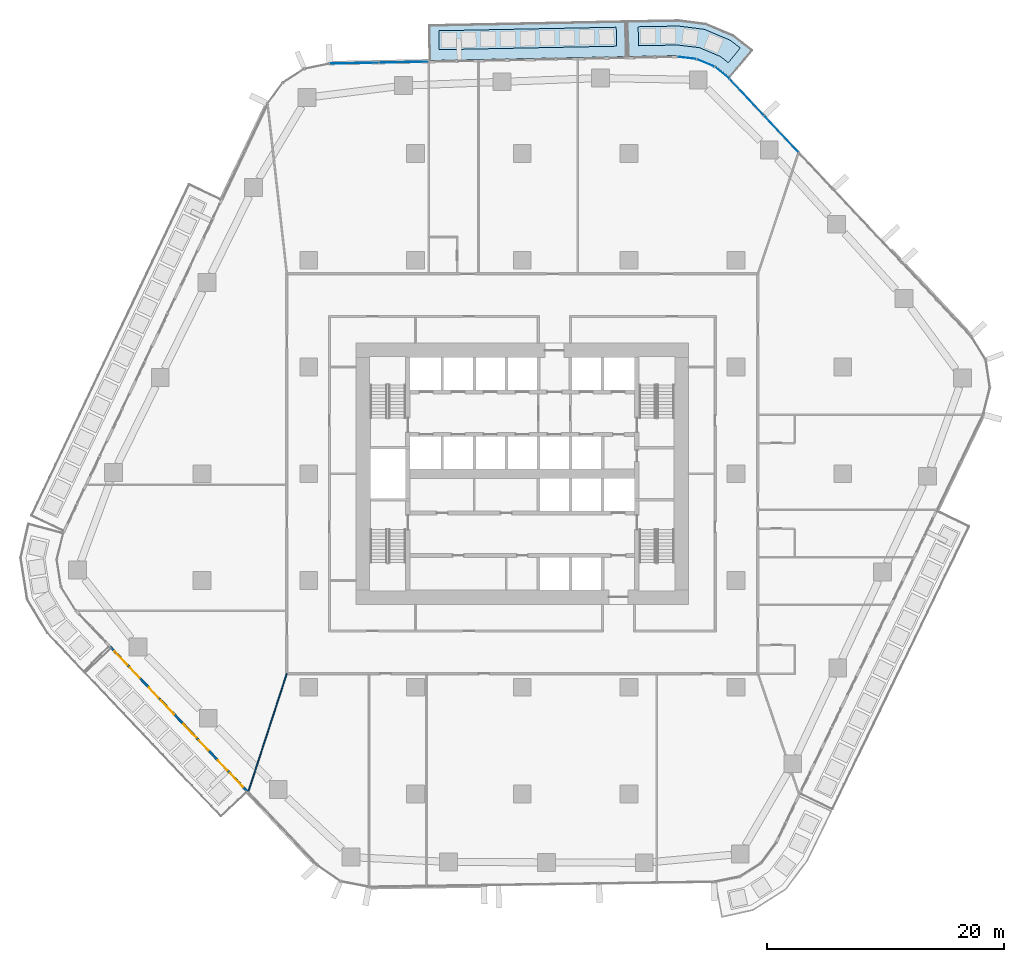
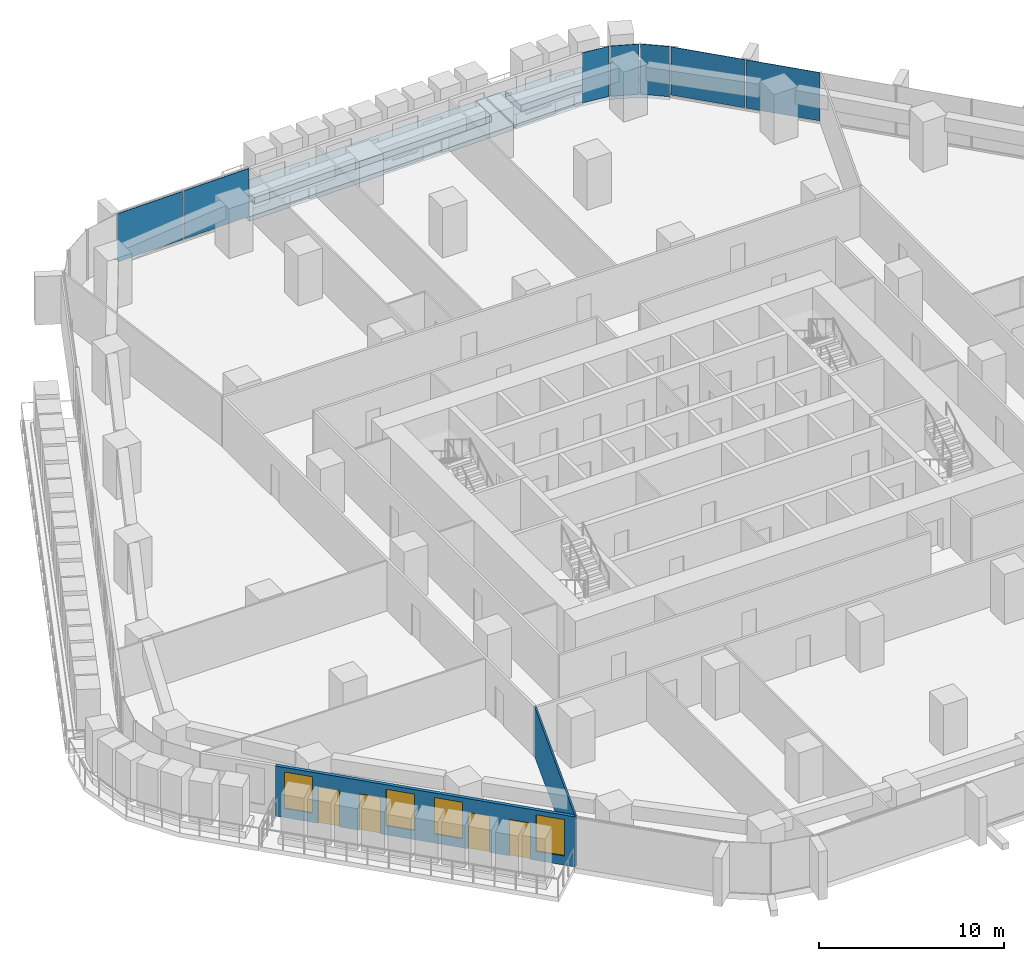
# One storey, part 11 of 24: 7 plates, 4 doors, 4 slabs, 4 windows, 2 walls, 8 openings, 3 elements without a shape of their own.
"""IFC4 building model written with IfcOpenShell, lengths in metres."""

import ifcopenshell
import ifcopenshell.guid

model = None  # the IFC model being written
_history = None  # IfcOwnerHistory: only IFC2X3 demands one
_inside = {}  # id of a spatial element -> (the spatial element, [elements in it])
_under = {}  # id of a project, library or spatial element -> (it, [spatial elements below it])
_declared = {}  # id of a project -> (the project, [libraries it declares])
_typed = {}  # id of a type object -> (the type object, [elements of that type])
_made_of = {}  # id of a material, layer set ... -> (it, [elements and type objects made of it])


def new_model(schema):
    """Start an empty IFC model of exactly this schema.

    Asked for "IFC4X3", IfcOpenShell would pick the latest addendum, in which some entities
    have other attributes; the version numbers below select the first issue.
    IFC2X3 requires an IfcOwnerHistory on every rooted entity: one is made here for all.
    """
    global model, _history
    if schema == "IFC4X3":
        model = ifcopenshell.file(schema_version=(4, 3, 0, 0))
    else:
        model = ifcopenshell.file(schema=schema)
    _inside.clear()
    _under.clear()
    _declared.clear()
    _typed.clear()
    _made_of.clear()
    _history = None
    if model.schema == "IFC2X3":
        org = make("IfcOrganization", Name="unknown")
        user = make(
            "IfcPersonAndOrganization",
            ThePerson=make("IfcPerson", FamilyName="unknown"),
            TheOrganization=org,
        )
        app = make(
            "IfcApplication",
            ApplicationDeveloper=org,
            Version="unknown",
            ApplicationFullName="unknown",
            ApplicationIdentifier="unknown",
        )
        _history = make(
            "IfcOwnerHistory",
            OwningUser=user,
            OwningApplication=app,
            ChangeAction="ADDED",
            CreationDate=0,
        )
    return model


def make(cls, **values):
    """One entity of the class cls with the attributes given. An attribute that is None is left unset."""
    return model.create_entity(
        cls, **{name: value for name, value in values.items() if value is not None}
    )


def rooted(cls, **values):
    """An entity with a GlobalId (a new one), such as an element, a storey or a relation."""
    return make(cls, GlobalId=ifcopenshell.guid.new(), OwnerHistory=_history, **values)


def si_unit(unit_type, name, prefix=None):
    """IfcSIUnit, for example si_unit("LENGTHUNIT", "METRE", prefix="MILLI")."""
    return make("IfcSIUnit", UnitType=unit_type, Prefix=prefix, Name=name)


def assignment(units):
    """IfcUnitAssignment: the units of a project."""
    return None if units is None else make("IfcUnitAssignment", Units=units)


def point(xyz):
    """IfcCartesianPoint."""
    return None if xyz is None else make("IfcCartesianPoint", Coordinates=xyz)


def direction(xyz):
    """IfcDirection."""
    return None if xyz is None else make("IfcDirection", DirectionRatios=xyz)


def frame(location, z_axis=None, x_axis=None):
    """IfcAxis2Placement3D, a coordinate frame: its origin and axes. An axis left out is left unset."""
    return make(
        "IfcAxis2Placement3D",
        Location=point(location),
        Axis=direction(z_axis),
        RefDirection=direction(x_axis),
    )


def frame_2d(location, x_axis=None):
    """IfcAxis2Placement2D, a coordinate frame in the plane: its origin and x axis."""
    return make(
        "IfcAxis2Placement2D", Location=point(location), RefDirection=direction(x_axis)
    )


def origin():
    """The frame at (0, 0, 0) with its axes left unset."""
    return frame((0.0, 0.0, 0.0))


def origin_2d():
    """The frame at (0, 0) in the plane with its x axis left unset."""
    return frame_2d((0.0, 0.0))


def place(relative_to, where):
    """IfcLocalPlacement: puts the frame where relative to a parent placement (None: the world)."""
    return make(
        "IfcLocalPlacement", PlacementRelTo=relative_to, RelativePlacement=where
    )


def context(
    kind, dimensions, precision=None, world=None, true_north=None, identifier=None
):
    """IfcGeometricRepresentationContext, for example the 3D "Model" context."""
    return make(
        "IfcGeometricRepresentationContext",
        ContextIdentifier=identifier,
        ContextType=kind,
        CoordinateSpaceDimension=dimensions,
        Precision=precision,
        WorldCoordinateSystem=world,
        TrueNorth=true_north,
    )


def subcontext(parent, identifier, kind, view, scale=None):
    """IfcGeometricRepresentationSubContext, for example "Body" below "Model"."""
    return make(
        "IfcGeometricRepresentationSubContext",
        ContextIdentifier=identifier,
        ContextType=kind,
        ParentContext=parent,
        TargetScale=scale,
        TargetView=view,
    )


def project(units=None, contexts=None):
    """IfcProject with its units and contexts."""
    return rooted(
        "IfcProject",
        Name="project",
        RepresentationContexts=contexts,
        UnitsInContext=assignment(units),
    )


def spatial(cls, under=None, at=None, **own):
    """A site, building, storey or space (cls), placed at a placement, below another one or the project."""
    s = rooted(cls, ObjectPlacement=at, **own)
    if under is not None:
        _under.setdefault(under.id(), (under, []))[1].append(s)
    return s


def polyline(points):
    """IfcPolyline through the points."""
    return make("IfcPolyline", Points=[point(p) for p in points])


def profile(cls, at=None, kind="AREA", **sizes):
    """A parametric profile (cls). Its sizes go by their IFC names, for example OverallWidth=200.0."""
    return make(cls, ProfileType=kind, Position=at, **sizes)


def rectangle(**sizes):
    """IfcRectangleProfileDef."""
    return profile("IfcRectangleProfileDef", **sizes)


def outline(outer, holes=None, kind="AREA"):
    """IfcArbitraryClosedProfileDef: a profile drawn as a closed curve; with holes, ...WithVoids."""
    if holes is None:
        return make("IfcArbitraryClosedProfileDef", ProfileType=kind, OuterCurve=outer)
    return make(
        "IfcArbitraryProfileDefWithVoids",
        ProfileType=kind,
        OuterCurve=outer,
        InnerCurves=holes,
    )


def extrude(swept, where, along, depth):
    """IfcExtrudedAreaSolid: the profile swept, set in the frame where, extruded along a direction by depth."""
    return make(
        "IfcExtrudedAreaSolid",
        SweptArea=swept,
        Position=where,
        ExtrudedDirection=direction(along),
        Depth=depth,
    )


def shape(context_of_items, identifier, shape_type, items):
    """IfcShapeRepresentation: the items that make up one representation, for example the "Body"."""
    return make(
        "IfcShapeRepresentation",
        ContextOfItems=context_of_items,
        RepresentationIdentifier=identifier,
        RepresentationType=shape_type,
        Items=items,
    )


def material(Name=None, Category=None):
    """IfcMaterial."""
    return make("IfcMaterial", Name=Name, Category=Category)


def layer(
    of_material, thickness, ventilated=None, Name=None, Category=None, Priority=None
):
    """IfcMaterialLayer: one layer of a wall or slab, of a material (None: an air gap)."""
    return make(
        "IfcMaterialLayer",
        Material=of_material,
        LayerThickness=thickness,
        IsVentilated=ventilated,
        Name=Name,
        Category=Category,
        Priority=Priority,
    )


def layer_set(layers, Name=None):
    """IfcMaterialLayerSet."""
    return make("IfcMaterialLayerSet", MaterialLayers=layers, LayerSetName=Name)


def made_of(thing, what):
    """Note that an element or type object is made of a material, layer set ...; save() writes the relation."""
    if what is not None:
        _made_of.setdefault(what.id(), (what, []))[1].append(thing)
    return thing


def type_object(cls, material=None, **own):
    """A type object (cls), such as IfcWallType, which elements share."""
    return made_of(rooted(cls, **own), material)


def element(
    cls,
    number,
    at=None,
    inside=None,
    cuts=None,
    type_object=None,
    material=None,
    context=None,
    identifier="Body",
    shape_type=None,
    held_by="IfcProductDefinitionShape",
    body=None,
    shapes=None,
    **own,
):
    """One element of the class cls, such as IfcWall. Its Tag is "e" and its number.

    at: its placement. inside: the storey or other place that contains it. cuts: it is an
    opening in that element (IfcRelVoidsElement). A single representation is given by context,
    identifier, shape_type and body (its items); several are given by shapes. held_by: the class
    of the entity that holds the representations. save() writes the other relations.
    """
    e = rooted(cls, Tag="e%d" % number, ObjectPlacement=at, **own)
    if body is not None:
        shapes = [shape(context, identifier, shape_type, body)]
    if shapes is not None:
        e.Representation = make(held_by, Representations=shapes)
    if inside is not None:
        _inside.setdefault(inside.id(), (inside, []))[1].append(e)
    if cuts is not None:
        rooted(
            "IfcRelVoidsElement", RelatingBuildingElement=cuts, RelatedOpeningElement=e
        )
    if type_object is not None:
        _typed.setdefault(type_object.id(), (type_object, []))[1].append(e)
    return made_of(e, material)


def fill(opening, filler):
    """IfcRelFillsElement: the door or window that sits in an opening."""
    return rooted(
        "IfcRelFillsElement",
        RelatingOpeningElement=opening,
        RelatedBuildingElement=filler,
    )


def aggregate(whole, parts):
    """IfcRelAggregates: a whole, such as a stair, and the parts it consists of."""
    return rooted("IfcRelAggregates", RelatingObject=whole, RelatedObjects=parts)


def save(model, path):
    """Write the relations noted so far, then the file.

    IfcRelAggregates (storeys below a building ...), IfcRelContainedInSpatialStructure (elements
    in a storey), IfcRelDefinesByType, IfcRelAssociatesMaterial and IfcRelDeclares: one each for
    every whole, place, type object, material and project.
    """
    for whole, parts in _under.values():
        aggregate(whole, parts)
    for where, things in _inside.values():
        rooted(
            "IfcRelContainedInSpatialStructure",
            RelatedElements=things,
            RelatingStructure=where,
        )
    for kind, things in _typed.values():
        rooted("IfcRelDefinesByType", RelatedObjects=things, RelatingType=kind)
    for what, things in _made_of.values():
        rooted("IfcRelAssociatesMaterial", RelatedObjects=things, RelatingMaterial=what)
    for by, libraries in _declared.values():
        rooted("IfcRelDeclares", RelatingContext=by, RelatedDefinitions=libraries)
    model.write(path)


model = new_model("IFC4")

# Units and contexts
model_context = context("Model", 3, precision=1e-05, world=origin(), true_north=direction((0.0, 1.0)))
body_context = subcontext(model_context, "Body", "Model", "MODEL_VIEW")
ifc_project = project(units=[si_unit("LENGTHUNIT", "METRE"), si_unit("AREAUNIT", "SQUARE_METRE"), si_unit("VOLUMEUNIT", "CUBIC_METRE"), si_unit("PLANEANGLEUNIT", "RADIAN"), si_unit("MASSUNIT", "GRAM", prefix="KILO")], contexts=[model_context])

# Site, building, storey
site_placement = place(None, origin())
site = spatial("IfcSite", under=ifc_project, at=site_placement, CompositionType="ELEMENT")
building_placement = place(site_placement, origin())
building = spatial("IfcBuilding", under=site, at=building_placement, Name="Dongbaek Canopy Tower", CompositionType="ELEMENT")
storey_placement = place(building_placement, frame((0.0, 0.0, 47.699951171875)))
storey = spatial("IfcBuildingStorey", under=building, at=storey_placement, Name="L07", CompositionType="ELEMENT", Elevation=47.699951171875)

# Slabs
ifc_material_1 = material(Name="Concrete C40/50", Category="concrete")
ifc_layer_1 = layer(ifc_material_1, 0.300048828125)
ifc_layer_set_1 = layer_set([ifc_layer_1], Name="Balcony slab 300")
slab_type_1 = type_object("IfcSlabType", Name="Balcony slab 300", PredefinedType="FLOOR", material=ifc_layer_set_1)
slab_1_placement = place(storey_placement, frame((0.0, 0.0, -0.300048828125)))
element("IfcSlab", 1, at=slab_1_placement, inside=storey, type_object=slab_type_1, Name="Balcony L07 1", PredefinedType="FLOOR", context=body_context, shape_type="SweptSolid", body=[
    extrude(outline(polyline([(8.809814453125, 35.161865234375), (-7.839599609375, 34.829833984375), (-7.8994140625, 37.829345703125), (8.75, 38.1611328125), (8.809814453125, 35.161865234375)])), origin(), (0.0, 0.0, 1.0), 0.300048828125),
])
slab_2_placement = place(storey_placement, frame((0.0, 0.0, -0.300048828125)))
element("IfcSlab", 2, at=slab_2_placement, inside=storey, type_object=slab_type_1, Name="Balcony L07 5", PredefinedType="FLOOR", context=body_context, shape_type="SweptSolid", body=[
    extrude(outline(polyline([(17.50390625, 33.383544921875), (16.24267578125, 34.39892578125), (14.704345703125, 35.046875), (13.047119140625, 35.24609375), (8.90966796875, 35.163818359375), (8.849853515625, 38.1630859375), (13.196533203125, 38.242431640625), (15.47314453125, 37.94677734375), (17.780517578125, 36.974609375), (19.38525390625, 35.72021484375), (17.50390625, 33.383544921875)])), origin(), (0.0, 0.0, 1.0), 0.300048828125),
])

# Curtain wall, plates
ifc_material_2 = material(Name="Aluminium 6063-T6 pale anodised", Category="aluminium")
ifc_layer_2 = layer(ifc_material_2, 0.199951171875)
ifc_layer_set_2 = layer_set([ifc_layer_2], Name="CW-1 unitised tower curtain wall")
curtain_wall_type = type_object("IfcCurtainWallType", Name="CW-1 unitised tower curtain wall", PredefinedType="NOTDEFINED", material=ifc_layer_set_2)
curtain_wall_1_placement = place(storey_placement, origin())
curtain_wall_1 = element("IfcCurtainWall", 3, at=curtain_wall_1_placement, inside=storey, type_object=curtain_wall_type, Name="CW-1 curtain wall F0.1", PredefinedType="NOTDEFINED")
ifc_material_3 = material(Name="Clear laminated glass", Category="glass")
ifc_layer_3 = layer(ifc_material_3, 0.028076171875)
ifc_layer_set_3 = layer_set([ifc_layer_3], Name="CW-1 glazed panel 28")
plate_type = type_object("IfcPlateType", Name="CW-1 glazed panel 28", PredefinedType="CURTAIN_PANEL", material=ifc_layer_set_3)
plate_1_placement = place(storey_placement, frame((21.830078125, 28.63525390625, 0.1201171875), z_axis=(0.0, 0.0, 1.0), x_axis=(-0.684120242484, 0.729369243815, 0.0)))
plate_1 = element("IfcPlate", 4, at=plate_1_placement, type_object=plate_type, Name="CW-1 panel F0.1.6.1", PredefinedType="CURTAIN_PANEL", context=body_context, shape_type="SweptSolid", body=[
    extrude(rectangle(XDim=4.164794921875, YDim=0.028076171875, at=origin_2d()), origin(), (0.0, 0.0, 1.0), 3.179931640625),
])
plate_2_placement = place(storey_placement, frame((18.925537109375, 31.731689453125, 0.1201171875), z_axis=(0.0, 0.0, 1.0), x_axis=(-0.684120242484, 0.729369243815, 0.0)))
plate_2 = element("IfcPlate", 5, at=plate_2_placement, type_object=plate_type, Name="CW-1 panel F0.1.7.1", PredefinedType="CURTAIN_PANEL", context=body_context, shape_type="SweptSolid", body=[
    extrude(rectangle(XDim=4.157958984375, YDim=0.028076171875, at=origin_2d()), origin(), (0.0, 0.0, 1.0), 3.179931640625),
])
aggregate(curtain_wall_1, [plate_1, plate_2])

curtain_wall_2_placement = place(storey_placement, origin())
curtain_wall_2 = element("IfcCurtainWall", 6, at=curtain_wall_2_placement, inside=storey, type_object=curtain_wall_type, Name="CW-1 curtain wall K1.1", PredefinedType="NOTDEFINED")
plate_3_placement = place(storey_placement, frame((16.832763671875, 33.79541015625, 0.0), z_axis=(0.0, 0.0, 1.0), x_axis=(-0.778925916436, 0.627115951562, 0.0)))
plate_3 = element("IfcPlate", 7, at=plate_3_placement, type_object=plate_type, Name="CW-1 panel K1.1.1.1", PredefinedType="CURTAIN_PANEL", context=body_context, shape_type="SweptSolid", body=[
    extrude(rectangle(XDim=1.564208984375, YDim=0.028076171875, at=origin_2d()), origin(), (0.0, 0.0, 1.0), 3.300048828125),
])
plate_4_placement = place(storey_placement, frame((15.4345703125, 34.630859375, 0.0), z_axis=(0.0, 0.0, 1.0), x_axis=(-0.921552400482, 0.388254005988, 0.0)))
plate_4 = element("IfcPlate", 8, at=plate_4_placement, type_object=plate_type, Name="CW-1 panel K1.1.2.1", PredefinedType="CURTAIN_PANEL", context=body_context, shape_type="SweptSolid", body=[
    extrude(rectangle(XDim=1.55712890625, YDim=0.028076171875, at=origin_2d()), origin(), (0.0, 0.0, 1.0), 3.300048828125),
])
plate_5_placement = place(storey_placement, frame((13.860107421875, 35.0478515625, 0.0), z_axis=(0.0, 0.0, 1.0), x_axis=(-0.992853177302, 0.119342231926, 0.0)))
plate_5 = element("IfcPlate", 9, at=plate_5_placement, type_object=plate_type, Name="CW-1 panel K1.1.3.1", PredefinedType="CURTAIN_PANEL", context=body_context, shape_type="SweptSolid", body=[
    extrude(rectangle(XDim=1.564208984375, YDim=0.028076171875, at=origin_2d()), origin(), (0.0, 0.0, 1.0), 3.300048828125),
])
aggregate(curtain_wall_2, [plate_3, plate_4, plate_5])

curtain_wall_3_placement = place(storey_placement, origin())
curtain_wall_3 = element("IfcCurtainWall", 10, at=curtain_wall_3_placement, inside=storey, type_object=curtain_wall_type, Name="CW-1 curtain wall F1.1", PredefinedType="NOTDEFINED")
plate_6_placement = place(storey_placement, frame((-9.981201171875, 34.687255859375, 0.1201171875), z_axis=(0.0, 0.0, 1.0), x_axis=(-0.999801462382, -0.019925757664, 0.0)))
plate_6 = element("IfcPlate", 11, at=plate_6_placement, type_object=plate_type, Name="CW-1 panel F1.1.1.1", PredefinedType="CURTAIN_PANEL", context=body_context, shape_type="SweptSolid", body=[
    extrude(rectangle(XDim=4.104248046875, YDim=0.028076171875, at=origin_2d()), origin(), (0.0, 0.0, 1.0), 3.179931640625),
])
plate_7_placement = place(storey_placement, frame((-14.1640625, 34.603759765625, 0.1201171875), z_axis=(0.0, 0.0, 1.0), x_axis=(-0.999801462382, -0.019925757664, 0.0)))
plate_7 = element("IfcPlate", 12, at=plate_7_placement, type_object=plate_type, Name="CW-1 panel F1.1.2.1", PredefinedType="CURTAIN_PANEL", context=body_context, shape_type="SweptSolid", body=[
    extrude(rectangle(XDim=4.094970703125, YDim=0.028076171875, at=origin_2d()), origin(), (0.0, 0.0, 1.0), 3.179931640625),
])
aggregate(curtain_wall_3, [plate_6, plate_7])

# Slabs
ifc_material_4 = material(Name="Reinforced concrete C40/50 planter box with soil", Category="concrete")
ifc_layer_4 = layer(ifc_material_4, 0.419921875)
ifc_layer_set_4 = layer_set([ifc_layer_4], Name="Terrace planter box 1600 x 420")
slab_type_2 = type_object("IfcSlabType", Name="Terrace planter box 1600 x 420", PredefinedType="USERDEFINED", material=ifc_layer_set_4)
slab_3_placement = place(storey_placement, origin())
element("IfcSlab", 13, at=slab_3_placement, inside=storey, type_object=slab_type_2, Name="Balcony planter L07 1", ObjectType="PLANTER", PredefinedType="USERDEFINED", context=body_context, shape_type="SweptSolid", body=[
    extrude(outline(polyline([(7.942138671875, 36.03466796875), (-7.007568359375, 35.736572265625), (-7.039306640625, 37.33642578125), (7.91015625, 37.63427734375), (7.942138671875, 36.03466796875)])), origin(), (0.0, 0.0, 1.0), 0.420166015625),
])
slab_4_placement = place(storey_placement, origin())
element("IfcSlab", 14, at=slab_4_placement, inside=storey, type_object=slab_type_2, Name="Balcony planter L07 5", ObjectType="PLANTER", PredefinedType="USERDEFINED", context=body_context, shape_type="SweptSolid", body=[
    extrude(outline(polyline([(17.36083984375, 34.64111328125), (16.698974609375, 35.1630859375), (14.932373046875, 35.9072265625), (13.09130859375, 36.135009765625), (9.791748046875, 36.071533203125), (9.759765625, 37.671142578125), (13.171142578125, 37.733154296875), (15.342529296875, 37.453857421875), (17.51904296875, 36.536865234375), (18.3642578125, 35.887451171875), (17.36083984375, 34.64111328125)])), origin(), (0.0, 0.0, 1.0), 0.420166015625),
])

# Wall
ifc_material_5 = material(Name="Gypsum board partition, steel stud, 2 x 12.5 mm board", Category="steel")
ifc_layer_5 = layer(ifc_material_5, 0.10009765625)
ifc_layer_set_5 = layer_set([ifc_layer_5], Name="Partition 100 gypsum board")
wall_type_1 = type_object("IfcWallType", Name="Partition 100 gypsum board", PredefinedType="PARTITIONING", material=ifc_layer_set_5)
wall_1_placement = place(storey_placement, frame((-23.10107421875, -26.826416015625, 0.0), z_axis=(0.0, 0.0, 1.0), x_axis=(0.309854630824, 0.950783943784, 0.0)))
element("IfcWall", 15, at=wall_1_placement, inside=storey, type_object=wall_type_1, Name="Partition", PredefinedType="PARTITIONING", context=body_context, shape_type="SweptSolid", body=[
    extrude(rectangle(XDim=10.49267578125, YDim=0.10009765625, at=frame_2d((5.246337890625, 0.0))), origin(), (0.0, 0.0, 1.0), 3.300048828125),
])

# Wall, openings, doors, windows
ifc_material_6 = material(Name="Aluminium window wall", Category="aluminium")
ifc_layer_6 = layer(ifc_material_6, 0.199951171875)
ifc_layer_set_6 = layer_set([ifc_layer_6], Name="Window wall 200")
wall_type_2 = type_object("IfcWallType", Name="Window wall 200", PredefinedType="SOLIDWALL", material=ifc_layer_set_6)
wall_2_placement = place(storey_placement, frame((-34.723876953125, -14.59814453125, 0.0), z_axis=(0.0, 0.0, 1.0), x_axis=(0.688093946104, -0.725621610301, 0.0)))
wall_2 = element("IfcWall", 16, at=wall_2_placement, inside=storey, type_object=wall_type_2, Name="Window wall L07 3", PredefinedType="SOLIDWALL", context=body_context, shape_type="SweptSolid", body=[
    extrude(rectangle(XDim=16.882080078125, YDim=0.199951171875, at=frame_2d((8.44091796875, 0.0))), origin(), (0.0, 0.0, 1.0), 3.300048828125),
])
opening_1_placement = place(wall_2_placement, frame((0.5, 0.0, 0.60009765625)))
opening_1 = element("IfcOpeningElement", 17, at=opening_1_placement, cuts=wall_2, Name="Opening W1", PredefinedType="OPENING", context=body_context, shape_type="SweptSolid", body=[
    extrude(rectangle(XDim=1.60009765625, YDim=2.39990234375, at=frame_2d((0.800048828125, 1.199951171875))), frame((0.0, 0.10986328125, 0.0), z_axis=(0.0, -1.0, 0.0), x_axis=(1.0, 0.0, 0.0)), (0.0, 0.0, 1.0), 0.219970703125),
])
opening_2_placement = place(wall_2_placement, frame((2.39990234375, 0.0, 0.0)))
opening_2 = element("IfcOpeningElement", 18, at=opening_2_placement, cuts=wall_2, Name="Opening L07-B13", PredefinedType="OPENING", context=body_context, shape_type="SweptSolid", body=[
    extrude(rectangle(XDim=1.199951171875, YDim=2.39990234375, at=frame_2d((0.60009765625, 1.199951171875))), frame((0.0, 0.10986328125, 0.0), z_axis=(0.0, -1.0, 0.0), x_axis=(1.0, 0.0, 0.0)), (0.0, 0.0, 1.0), 0.219970703125),
])
opening_3_placement = place(wall_2_placement, frame((6.220458984375, 0.0, 0.60009765625)))
opening_3 = element("IfcOpeningElement", 19, at=opening_3_placement, cuts=wall_2, Name="Opening W1", PredefinedType="OPENING", context=body_context, shape_type="SweptSolid", body=[
    extrude(rectangle(XDim=1.60009765625, YDim=2.39990234375, at=frame_2d((0.800048828125, 1.199951171875))), frame((0.0, 0.10986328125, 0.0), z_axis=(0.0, -1.0, 0.0), x_axis=(1.0, 0.0, 0.0)), (0.0, 0.0, 1.0), 0.219970703125),
])
opening_4_placement = place(wall_2_placement, frame((4.720458984375, 0.0, 0.0)))
opening_4 = element("IfcOpeningElement", 20, at=opening_4_placement, cuts=wall_2, Name="Opening L07-B14", PredefinedType="OPENING", context=body_context, shape_type="SweptSolid", body=[
    extrude(rectangle(XDim=1.199951171875, YDim=2.39990234375, at=frame_2d((0.60009765625, 1.199951171875))), frame((0.0, 0.10986328125, 0.0), z_axis=(0.0, -1.0, 0.0), x_axis=(1.0, 0.0, 0.0)), (0.0, 0.0, 1.0), 0.219970703125),
])
opening_5_placement = place(wall_2_placement, frame((8.941162109375, 0.0, 0.60009765625)))
opening_5 = element("IfcOpeningElement", 21, at=opening_5_placement, cuts=wall_2, Name="Opening W1", PredefinedType="OPENING", context=body_context, shape_type="SweptSolid", body=[
    extrude(rectangle(XDim=1.60009765625, YDim=2.39990234375, at=frame_2d((0.800048828125, 1.199951171875))), frame((0.0, 0.10986328125, 0.0), z_axis=(0.0, -1.0, 0.0), x_axis=(1.0, 0.0, 0.0)), (0.0, 0.0, 1.0), 0.219970703125),
])
opening_6_placement = place(wall_2_placement, frame((10.841064453125, 0.0, 0.0)))
opening_6 = element("IfcOpeningElement", 22, at=opening_6_placement, cuts=wall_2, Name="Opening L07-B15", PredefinedType="OPENING", context=body_context, shape_type="SweptSolid", body=[
    extrude(rectangle(XDim=1.199951171875, YDim=2.39990234375, at=frame_2d((0.60009765625, 1.199951171875))), frame((0.0, 0.10986328125, 0.0), z_axis=(0.0, -1.0, 0.0), x_axis=(1.0, 0.0, 0.0)), (0.0, 0.0, 1.0), 0.219970703125),
])
opening_7_placement = place(wall_2_placement, frame((14.66162109375, 0.0, 0.60009765625)))
opening_7 = element("IfcOpeningElement", 23, at=opening_7_placement, cuts=wall_2, Name="Opening W1", PredefinedType="OPENING", context=body_context, shape_type="SweptSolid", body=[
    extrude(rectangle(XDim=1.60009765625, YDim=2.39990234375, at=frame_2d((0.800048828125, 1.199951171875))), frame((0.0, 0.10986328125, 0.0), z_axis=(0.0, -1.0, 0.0), x_axis=(1.0, 0.0, 0.0)), (0.0, 0.0, 1.0), 0.219970703125),
])
opening_8_placement = place(wall_2_placement, frame((13.16162109375, 0.0, 0.0)))
opening_8 = element("IfcOpeningElement", 24, at=opening_8_placement, cuts=wall_2, Name="Opening L07-B16", PredefinedType="OPENING", context=body_context, shape_type="SweptSolid", body=[
    extrude(rectangle(XDim=1.199951171875, YDim=2.39990234375, at=frame_2d((0.60009765625, 1.199951171875))), frame((0.0, 0.10986328125, 0.0), z_axis=(0.0, -1.0, 0.0), x_axis=(1.0, 0.0, 0.0)), (0.0, 0.0, 1.0), 0.219970703125),
])
ifc_material_7 = material(Name="Clear glazing in aluminium frame", Category="aluminium")
door_type = type_object("IfcDoorType", Name="Balcony door BD1 1200 x 2400", OperationType="SLIDING_TO_LEFT", PredefinedType="DOOR", material=ifc_material_7)
door_1_placement = place(opening_2_placement, origin())
door_1 = element("IfcDoor", 25, at=door_1_placement, inside=storey, type_object=door_type, Name="Balcony door L07-B13", OperationType="SLIDING_TO_LEFT", OverallHeight=2.39990234375, OverallWidth=1.199951171875, PredefinedType="DOOR", context=body_context, shape_type="SweptSolid", body=[
    extrude(rectangle(XDim=1.199951171875, YDim=2.39990234375, at=frame_2d((0.60009765625, 1.199951171875))), frame((0.0, 0.02490234375, 0.0), z_axis=(0.0, -1.0, 0.0), x_axis=(1.0, 0.0, 0.0)), (0.0, 0.0, 1.0), 0.050048828125),
])
fill(opening_2, door_1)
door_2_placement = place(opening_4_placement, origin())
door_2 = element("IfcDoor", 26, at=door_2_placement, inside=storey, type_object=door_type, Name="Balcony door L07-B14", OperationType="SLIDING_TO_LEFT", OverallHeight=2.39990234375, OverallWidth=1.199951171875, PredefinedType="DOOR", context=body_context, shape_type="SweptSolid", body=[
    extrude(rectangle(XDim=1.199951171875, YDim=2.39990234375, at=frame_2d((0.60009765625, 1.199951171875))), frame((0.0, 0.02490234375, 0.0), z_axis=(0.0, -1.0, 0.0), x_axis=(1.0, 0.0, 0.0)), (0.0, 0.0, 1.0), 0.050048828125),
])
fill(opening_4, door_2)
door_3_placement = place(opening_6_placement, origin())
door_3 = element("IfcDoor", 27, at=door_3_placement, inside=storey, type_object=door_type, Name="Balcony door L07-B15", OperationType="SLIDING_TO_LEFT", OverallHeight=2.39990234375, OverallWidth=1.199951171875, PredefinedType="DOOR", context=body_context, shape_type="SweptSolid", body=[
    extrude(rectangle(XDim=1.199951171875, YDim=2.39990234375, at=frame_2d((0.60009765625, 1.199951171875))), frame((0.0, 0.02490234375, 0.0), z_axis=(0.0, -1.0, 0.0), x_axis=(1.0, 0.0, 0.0)), (0.0, 0.0, 1.0), 0.050048828125),
])
fill(opening_6, door_3)
door_4_placement = place(opening_8_placement, origin())
door_4 = element("IfcDoor", 28, at=door_4_placement, inside=storey, type_object=door_type, Name="Balcony door L07-B16", OperationType="SLIDING_TO_LEFT", OverallHeight=2.39990234375, OverallWidth=1.199951171875, PredefinedType="DOOR", context=body_context, shape_type="SweptSolid", body=[
    extrude(rectangle(XDim=1.199951171875, YDim=2.39990234375, at=frame_2d((0.60009765625, 1.199951171875))), frame((0.0, 0.02490234375, 0.0), z_axis=(0.0, -1.0, 0.0), x_axis=(1.0, 0.0, 0.0)), (0.0, 0.0, 1.0), 0.050048828125),
])
fill(opening_8, door_4)
ifc_material_8 = material(Name="Clear glazing in aluminium frame", Category="aluminium")
window_type = type_object("IfcWindowType", Name="Window W1 1600 x 2400", PartitioningType="SINGLE_PANEL", PredefinedType="WINDOW", material=ifc_material_8)
window_1_placement = place(opening_1_placement, origin())
window_1 = element("IfcWindow", 29, at=window_1_placement, inside=storey, type_object=window_type, Name="Window L07 3.1", OverallHeight=2.39990234375, OverallWidth=1.60009765625, PartitioningType="SINGLE_PANEL", PredefinedType="WINDOW", context=body_context, shape_type="SweptSolid", body=[
    extrude(rectangle(XDim=1.60009765625, YDim=2.39990234375, at=frame_2d((0.800048828125, 1.199951171875))), frame((0.0, 0.030029296875, 0.0), z_axis=(0.0, -1.0, 0.0), x_axis=(1.0, 0.0, 0.0)), (0.0, 0.0, 1.0), 0.06005859375),
])
fill(opening_1, window_1)
window_2_placement = place(opening_3_placement, origin())
window_2 = element("IfcWindow", 30, at=window_2_placement, inside=storey, type_object=window_type, Name="Window L07 3.2", OverallHeight=2.39990234375, OverallWidth=1.60009765625, PartitioningType="SINGLE_PANEL", PredefinedType="WINDOW", context=body_context, shape_type="SweptSolid", body=[
    extrude(rectangle(XDim=1.60009765625, YDim=2.39990234375, at=frame_2d((0.800048828125, 1.199951171875))), frame((0.0, 0.030029296875, 0.0), z_axis=(0.0, -1.0, 0.0), x_axis=(1.0, 0.0, 0.0)), (0.0, 0.0, 1.0), 0.06005859375),
])
fill(opening_3, window_2)
window_3_placement = place(opening_5_placement, origin())
window_3 = element("IfcWindow", 31, at=window_3_placement, inside=storey, type_object=window_type, Name="Window L07 3.3", OverallHeight=2.39990234375, OverallWidth=1.60009765625, PartitioningType="SINGLE_PANEL", PredefinedType="WINDOW", context=body_context, shape_type="SweptSolid", body=[
    extrude(rectangle(XDim=1.60009765625, YDim=2.39990234375, at=frame_2d((0.800048828125, 1.199951171875))), frame((0.0, 0.030029296875, 0.0), z_axis=(0.0, -1.0, 0.0), x_axis=(1.0, 0.0, 0.0)), (0.0, 0.0, 1.0), 0.06005859375),
])
fill(opening_5, window_3)
window_4_placement = place(opening_7_placement, origin())
window_4 = element("IfcWindow", 32, at=window_4_placement, inside=storey, type_object=window_type, Name="Window L07 3.4", OverallHeight=2.39990234375, OverallWidth=1.60009765625, PartitioningType="SINGLE_PANEL", PredefinedType="WINDOW", context=body_context, shape_type="SweptSolid", body=[
    extrude(rectangle(XDim=1.60009765625, YDim=2.39990234375, at=frame_2d((0.800048828125, 1.199951171875))), frame((0.0, 0.030029296875, 0.0), z_axis=(0.0, -1.0, 0.0), x_axis=(1.0, 0.0, 0.0)), (0.0, 0.0, 1.0), 0.06005859375),
])
fill(opening_7, window_4)

save(model, "model.ifc")
